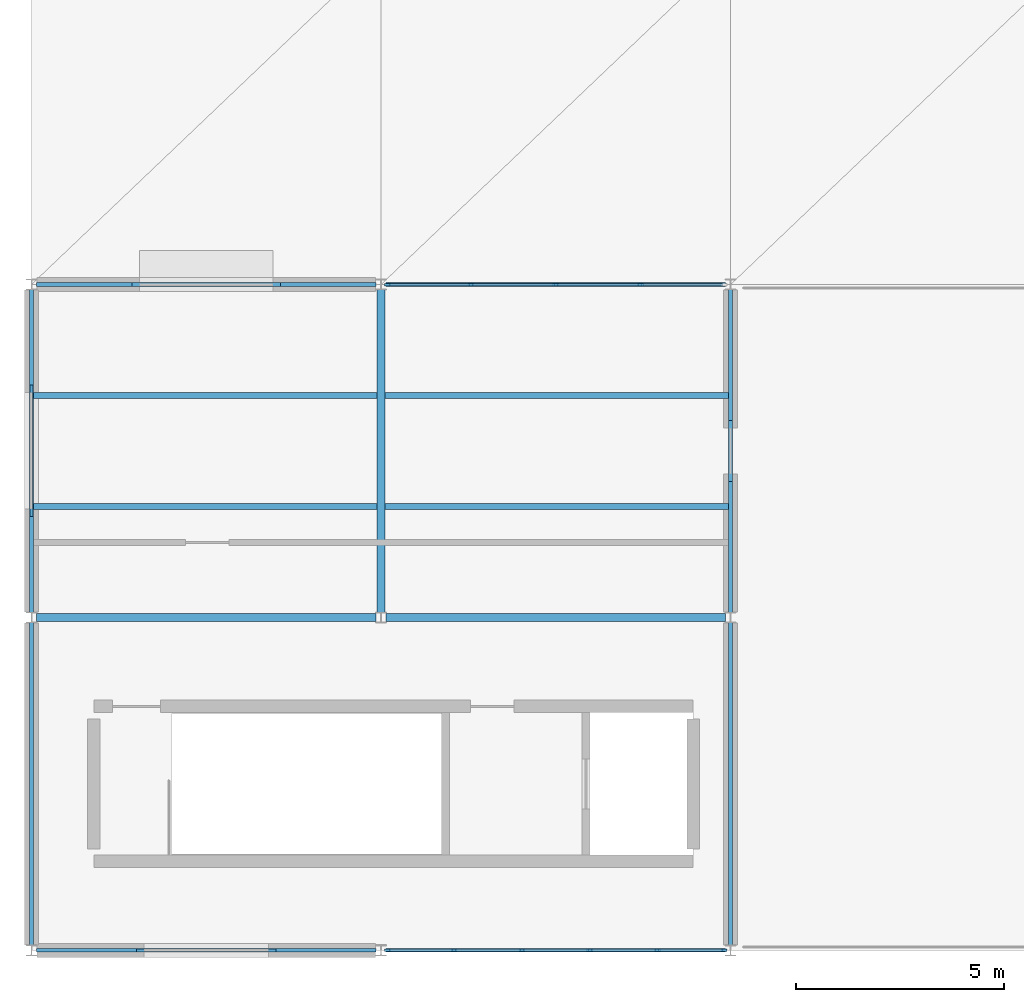
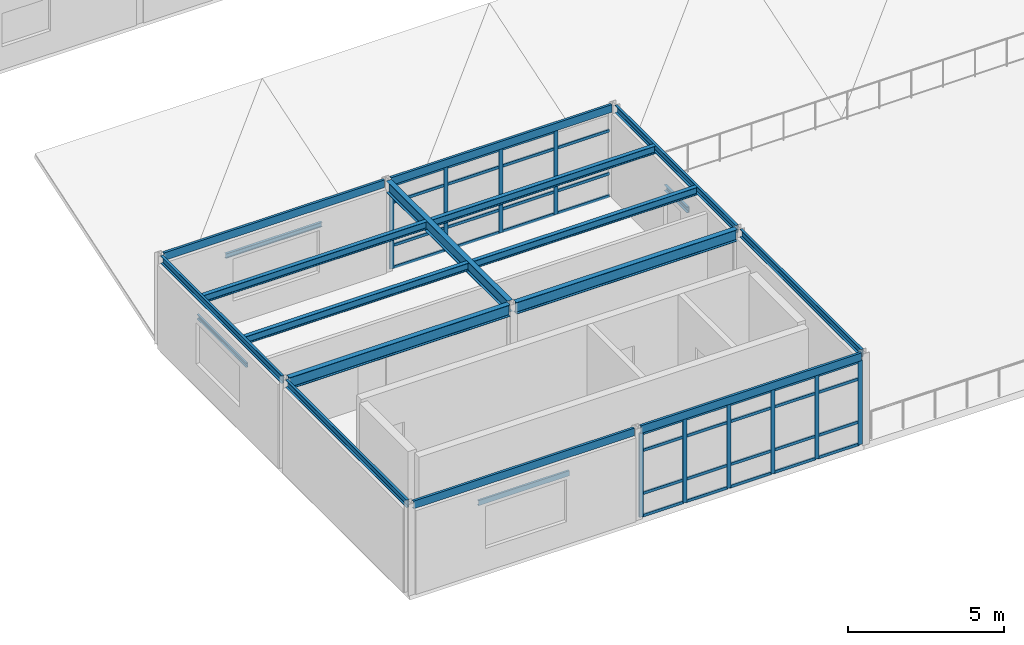
# One storey, part 11 of 53: 45 members, 19 beams, 2 elements without a shape of their own.
"""IFC4 building model written with IfcOpenShell, lengths in metres."""

from ifc_helpers import new_model, si_unit, direction, frame, origin, origin_2d, place, context, subcontext, project, spatial, rectangle, i_section, u_section, extrude, material, layer, layer_set, material_profile, profile_set, type_object, element, aggregate, save


model = new_model("IFC4")

# Units and contexts
model_context = context("Model", 3, precision=1e-05, world=origin(), true_north=direction((0.0, 1.0)))
body_context = subcontext(model_context, "Body", "Model", "MODEL_VIEW")
ifc_project = project(units=[si_unit("LENGTHUNIT", "METRE"), si_unit("AREAUNIT", "SQUARE_METRE"), si_unit("VOLUMEUNIT", "CUBIC_METRE"), si_unit("PLANEANGLEUNIT", "RADIAN"), si_unit("MASSUNIT", "GRAM", prefix="KILO")], contexts=[model_context])

# Site, building, storey
site_placement = place(None, origin())
site = spatial("IfcSite", under=ifc_project, at=site_placement, CompositionType="ELEMENT")
building_placement = place(site_placement, origin())
building = spatial("IfcBuilding", under=site, at=building_placement, Name="Kranzveld Transit Interchange", CompositionType="ELEMENT")
storey_placement = place(building_placement, frame((0.0, 0.0, 13.360107421875)))
storey = spatial("IfcBuildingStorey", under=building, at=storey_placement, Name="L03", CompositionType="ELEMENT", Elevation=13.360107421875)

# Beams
ifc_material_1 = material(Name="Steel S355JR", Category="steel")
ifc_material_profile_1 = material_profile(ifc_material_1, i_section(OverallWidth=0.18994140625, OverallDepth=0.453369140625, WebThickness=0.008544921875, FlangeThickness=0.0126953125, FilletRadius=0.01025390625, at=origin_2d()), Name="UB 457x191x67")
ifc_profile_set_1 = profile_set([ifc_material_profile_1], Name="Steel S355JR")
beam_type_1 = type_object("IfcBeamType", Name="Beam Steel UB 457x191x67 S355JR", PredefinedType="BEAM", material=ifc_profile_set_1)
beam_1_placement = place(storey_placement, frame((8.39990234375, 24.1201171875, 3.353271484375), z_axis=(0.0, 1.0, 0.0), x_axis=(-1.0, 0.0, 0.0)))
element("IfcBeam", 1, at=beam_1_placement, inside=storey, type_object=beam_type_1, Name="L03 Girder 02/D-E", PredefinedType="BEAM", context=body_context, shape_type="SweptSolid", body=[
    extrude(i_section(OverallWidth=0.18994140625, OverallDepth=0.453369140625, WebThickness=0.008544921875, FlangeThickness=0.0126953125, FilletRadius=0.01025390625, at=origin_2d()), origin(), (0.0, 0.0, 1.0), 7.759765625),
])
ifc_material_2 = material(Name="Steel S355JR", Category="steel")
ifc_material_profile_2 = material_profile(ifc_material_2, i_section(OverallWidth=0.1904296875, OverallDepth=0.45703125, WebThickness=0.009033203125, FlangeThickness=0.014404296875, FilletRadius=0.01025390625, at=origin_2d()), Name="UB 457x191x74")
ifc_profile_set_2 = profile_set([ifc_material_profile_2], Name="Steel S355JR")
beam_type_2 = type_object("IfcBeamType", Name="Beam Steel UB 457x191x74 S355JR", PredefinedType="BEAM", material=ifc_profile_set_2)
for number, where, z_axis, x_axis, name in (
    (2, (0.1181640625, 24.0, 3.351318359375), (1.0, 0.0, 0.0), (0.0, 1.0, 0.0), "L03 Girder 01-02/D"),
    (3, (8.51806640625, 24.0, 3.351318359375), (1.0, 0.0, 0.0), (0.0, 1.0, 0.0), "L03 Girder 02-03/D"),
):
    element("IfcBeam", number, at=place(storey_placement, frame(where, z_axis=z_axis, x_axis=x_axis)), inside=storey, type_object=beam_type_2, Name=name, PredefinedType="BEAM", context=body_context, shape_type="SweptSolid", body=[
        extrude(i_section(OverallWidth=0.1904296875, OverallDepth=0.45703125, WebThickness=0.009033203125, FlangeThickness=0.014404296875, FilletRadius=0.01025390625, at=origin_2d()), origin(), (0.0, 0.0, 1.0), 8.163818359375),
    ])

# Curtain wall, members
ifc_material_3 = material(Name="Bronze-anodised thermally broken aluminium", Category="aluminium")
ifc_layer_1 = layer(ifc_material_3, 0.159912109375)
ifc_layer_set_1 = layer_set([ifc_layer_1], Name="Bronze-anodised thermally broken aluminium")
curtain_wall_type_1 = type_object("IfcCurtainWallType", Name="Bus Boarding Glazed Screen CW-3", PredefinedType="USERDEFINED", material=ifc_layer_set_1)
curtain_wall_1_placement = place(storey_placement, origin())
curtain_wall_1 = element("IfcCurtainWall", 4, at=curtain_wall_1_placement, inside=storey, type_object=curtain_wall_type_1, Name="L03 Curtain Wall 02/E-03/E", ObjectType="CURTAIN WALL", PredefinedType="USERDEFINED")
ifc_material_4 = material(Name="Bronze-anodised thermally broken aluminium", Category="aluminium")
ifc_material_profile_3 = material_profile(ifc_material_4, rectangle(XDim=0.06005859375, YDim=0.14990234375, at=origin_2d()), Name="ALU MULLION 60x150")
ifc_profile_set_3 = profile_set([ifc_material_profile_3], Name="Bronze-anodised thermally broken aluminium")
member_type_1 = type_object("IfcMemberType", Name="Curtain Wall Mullion 60x150 Alu", PredefinedType="MULLION", material=ifc_profile_set_3)
member_1_placement = place(storey_placement, frame((8.55810546875, 32.0, 0.0), z_axis=(0.0, 0.0, 1.0), x_axis=(0.0, 1.0, 0.0)))
member_1 = element("IfcMember", 5, at=member_1_placement, type_object=member_type_1, Name="CW-3 mullion 1", PredefinedType="MULLION", context=body_context, shape_type="SweptSolid", body=[
    extrude(rectangle(XDim=0.06005859375, YDim=0.14990234375, at=origin_2d()), origin(), (0.0, 0.0, 1.0), 3.27978515625),
])
member_2_placement = place(storey_placement, frame((10.56396484375, 32.0, 0.0), z_axis=(0.0, 0.0, 1.0), x_axis=(0.0, 1.0, 0.0)))
member_2 = element("IfcMember", 6, at=member_2_placement, type_object=member_type_1, Name="CW-3 mullion 2", PredefinedType="MULLION", context=body_context, shape_type="SweptSolid", body=[
    extrude(rectangle(XDim=0.06005859375, YDim=0.14990234375, at=origin_2d()), origin(), (0.0, 0.0, 1.0), 3.27978515625),
])
member_3_placement = place(storey_placement, frame((12.60009765625, 32.0, 0.0), z_axis=(0.0, 0.0, 1.0), x_axis=(0.0, 1.0, 0.0)))
member_3 = element("IfcMember", 7, at=member_3_placement, type_object=member_type_1, Name="CW-3 mullion 3", PredefinedType="MULLION", context=body_context, shape_type="SweptSolid", body=[
    extrude(rectangle(XDim=0.06005859375, YDim=0.14990234375, at=origin_2d()), origin(), (0.0, 0.0, 1.0), 3.27978515625),
])
member_4_placement = place(storey_placement, frame((14.635986328125, 32.0, 0.0), z_axis=(0.0, 0.0, 1.0), x_axis=(0.0, 1.0, 0.0)))
member_4 = element("IfcMember", 8, at=member_4_placement, type_object=member_type_1, Name="CW-3 mullion 4", PredefinedType="MULLION", context=body_context, shape_type="SweptSolid", body=[
    extrude(rectangle(XDim=0.06005859375, YDim=0.14990234375, at=origin_2d()), origin(), (0.0, 0.0, 1.0), 3.27978515625),
])

ifc_material_5 = material(Name="Bronze-anodised thermally broken aluminium", Category="aluminium")
ifc_layer_2 = layer(ifc_material_5, 0.14990234375)
ifc_layer_set_2 = layer_set([ifc_layer_2], Name="Bronze-anodised thermally broken aluminium")
curtain_wall_type_2 = type_object("IfcCurtainWallType", Name="Public Passage Clerestory Screen CW-4", PredefinedType="USERDEFINED", material=ifc_layer_set_2)
curtain_wall_2_placement = place(storey_placement, origin())
curtain_wall_2 = element("IfcCurtainWall", 9, at=curtain_wall_2_placement, inside=storey, type_object=curtain_wall_type_2, Name="L03 Curtain Wall 02/C-03/C", ObjectType="CURTAIN WALL", PredefinedType="USERDEFINED")
member_5_placement = place(storey_placement, frame((8.55810546875, 16.0, 0.0), z_axis=(0.0, 0.0, 1.0), x_axis=(0.0, 1.0, 0.0)))
member_5 = element("IfcMember", 10, at=member_5_placement, type_object=member_type_1, Name="CW-4 mullion 1", PredefinedType="MULLION", context=body_context, shape_type="SweptSolid", body=[
    extrude(rectangle(XDim=0.06005859375, YDim=0.14990234375, at=origin_2d()), origin(), (0.0, 0.0, 1.0), 3.27978515625),
])
member_6_placement = place(storey_placement, frame((10.15673828125, 16.0, 0.0), z_axis=(0.0, 0.0, 1.0), x_axis=(0.0, 1.0, 0.0)))
member_6 = element("IfcMember", 11, at=member_6_placement, type_object=member_type_1, Name="CW-4 mullion 2", PredefinedType="MULLION", context=body_context, shape_type="SweptSolid", body=[
    extrude(rectangle(XDim=0.06005859375, YDim=0.14990234375, at=origin_2d()), origin(), (0.0, 0.0, 1.0), 3.27978515625),
])
member_7_placement = place(storey_placement, frame((11.78564453125, 16.0, 0.0), z_axis=(0.0, 0.0, 1.0), x_axis=(0.0, 1.0, 0.0)))
member_7 = element("IfcMember", 12, at=member_7_placement, type_object=member_type_1, Name="CW-4 mullion 3", PredefinedType="MULLION", context=body_context, shape_type="SweptSolid", body=[
    extrude(rectangle(XDim=0.06005859375, YDim=0.14990234375, at=origin_2d()), origin(), (0.0, 0.0, 1.0), 3.27978515625),
])
member_8_placement = place(storey_placement, frame((13.414306640625, 16.0, 0.0), z_axis=(0.0, 0.0, 1.0), x_axis=(0.0, 1.0, 0.0)))
member_8 = element("IfcMember", 13, at=member_8_placement, type_object=member_type_1, Name="CW-4 mullion 4", PredefinedType="MULLION", context=body_context, shape_type="SweptSolid", body=[
    extrude(rectangle(XDim=0.06005859375, YDim=0.14990234375, at=origin_2d()), origin(), (0.0, 0.0, 1.0), 3.27978515625),
])
member_9_placement = place(storey_placement, frame((15.043212890625, 16.0, 0.0), z_axis=(0.0, 0.0, 1.0), x_axis=(0.0, 1.0, 0.0)))
member_9 = element("IfcMember", 14, at=member_9_placement, type_object=member_type_1, Name="CW-4 mullion 5", PredefinedType="MULLION", context=body_context, shape_type="SweptSolid", body=[
    extrude(rectangle(XDim=0.06005859375, YDim=0.14990234375, at=origin_2d()), origin(), (0.0, 0.0, 1.0), 3.27978515625),
])
member_10_placement = place(storey_placement, frame((16.641845703125, 16.0, 0.0), z_axis=(0.0, 0.0, 1.0), x_axis=(0.0, 1.0, 0.0)))
member_10 = element("IfcMember", 15, at=member_10_placement, type_object=member_type_1, Name="CW-4 mullion 6", PredefinedType="MULLION", context=body_context, shape_type="SweptSolid", body=[
    extrude(rectangle(XDim=0.06005859375, YDim=0.14990234375, at=origin_2d()), origin(), (0.0, 0.0, 1.0), 3.27978515625),
])

# Member
ifc_material_6 = material(Name="Bronze-anodised thermally broken aluminium", Category="aluminium")
ifc_material_profile_4 = material_profile(ifc_material_6, rectangle(XDim=0.06005859375, YDim=0.110107421875, at=origin_2d()), Name="ALU TRANSOM 60x110")
ifc_profile_set_4 = profile_set([ifc_material_profile_4], Name="Bronze-anodised thermally broken aluminium")
member_type_2 = type_object("IfcMemberType", Name="Curtain Wall Transom 60x110 Alu", PredefinedType="USERDEFINED", material=ifc_profile_set_4)
member_11_placement = place(storey_placement, frame((8.588134765625, 32.0, 0.02978515625), z_axis=(1.0, 0.0, 0.0), x_axis=(0.0, 1.0, 0.0)))
member_11 = element("IfcMember", 16, at=member_11_placement, type_object=member_type_2, Name="CW-3 transom 1.1", ObjectType="TRANSOM", PredefinedType="USERDEFINED", context=body_context, shape_type="SweptSolid", body=[
    extrude(rectangle(XDim=0.06005859375, YDim=0.110107421875, at=origin_2d()), origin(), (0.0, 0.0, 1.0), 1.94580078125),
])

member_12_placement = place(storey_placement, frame((8.588134765625, 32.0, 0.89990234375), z_axis=(1.0, 0.0, 0.0), x_axis=(0.0, 1.0, 0.0)))
member_12 = element("IfcMember", 17, at=member_12_placement, type_object=member_type_2, Name="CW-3 transom 1.2", ObjectType="TRANSOM", PredefinedType="USERDEFINED", context=body_context, shape_type="SweptSolid", body=[
    extrude(rectangle(XDim=0.06005859375, YDim=0.110107421875, at=origin_2d()), origin(), (0.0, 0.0, 1.0), 1.94580078125),
])

member_13_placement = place(storey_placement, frame((8.588134765625, 32.0, 2.579833984375), z_axis=(1.0, 0.0, 0.0), x_axis=(0.0, 1.0, 0.0)))
member_13 = element("IfcMember", 18, at=member_13_placement, type_object=member_type_2, Name="CW-3 transom 1.3", ObjectType="TRANSOM", PredefinedType="USERDEFINED", context=body_context, shape_type="SweptSolid", body=[
    extrude(rectangle(XDim=0.06005859375, YDim=0.110107421875, at=origin_2d()), origin(), (0.0, 0.0, 1.0), 1.94580078125),
])

member_14_placement = place(storey_placement, frame((8.588134765625, 32.0, 3.25), z_axis=(1.0, 0.0, 0.0), x_axis=(0.0, 1.0, 0.0)))
member_14 = element("IfcMember", 19, at=member_14_placement, type_object=member_type_2, Name="CW-3 transom 1.4", ObjectType="TRANSOM", PredefinedType="USERDEFINED", context=body_context, shape_type="SweptSolid", body=[
    extrude(rectangle(XDim=0.06005859375, YDim=0.110107421875, at=origin_2d()), origin(), (0.0, 0.0, 1.0), 1.94580078125),
])

member_15_placement = place(storey_placement, frame((10.593994140625, 32.0, 0.02978515625), z_axis=(1.0, 0.0, 0.0), x_axis=(0.0, 1.0, 0.0)))
member_15 = element("IfcMember", 20, at=member_15_placement, type_object=member_type_2, Name="CW-3 transom 2.1", ObjectType="TRANSOM", PredefinedType="USERDEFINED", context=body_context, shape_type="SweptSolid", body=[
    extrude(rectangle(XDim=0.06005859375, YDim=0.110107421875, at=origin_2d()), origin(), (0.0, 0.0, 1.0), 1.97607421875),
])

member_16_placement = place(storey_placement, frame((10.593994140625, 32.0, 0.89990234375), z_axis=(1.0, 0.0, 0.0), x_axis=(0.0, 1.0, 0.0)))
member_16 = element("IfcMember", 21, at=member_16_placement, type_object=member_type_2, Name="CW-3 transom 2.2", ObjectType="TRANSOM", PredefinedType="USERDEFINED", context=body_context, shape_type="SweptSolid", body=[
    extrude(rectangle(XDim=0.06005859375, YDim=0.110107421875, at=origin_2d()), origin(), (0.0, 0.0, 1.0), 1.97607421875),
])

member_17_placement = place(storey_placement, frame((10.593994140625, 32.0, 2.579833984375), z_axis=(1.0, 0.0, 0.0), x_axis=(0.0, 1.0, 0.0)))
member_17 = element("IfcMember", 22, at=member_17_placement, type_object=member_type_2, Name="CW-3 transom 2.3", ObjectType="TRANSOM", PredefinedType="USERDEFINED", context=body_context, shape_type="SweptSolid", body=[
    extrude(rectangle(XDim=0.06005859375, YDim=0.110107421875, at=origin_2d()), origin(), (0.0, 0.0, 1.0), 1.97607421875),
])

member_18_placement = place(storey_placement, frame((10.593994140625, 32.0, 3.25), z_axis=(1.0, 0.0, 0.0), x_axis=(0.0, 1.0, 0.0)))
member_18 = element("IfcMember", 23, at=member_18_placement, type_object=member_type_2, Name="CW-3 transom 2.4", ObjectType="TRANSOM", PredefinedType="USERDEFINED", context=body_context, shape_type="SweptSolid", body=[
    extrude(rectangle(XDim=0.06005859375, YDim=0.110107421875, at=origin_2d()), origin(), (0.0, 0.0, 1.0), 1.97607421875),
])

member_19_placement = place(storey_placement, frame((12.6298828125, 32.0, 0.02978515625), z_axis=(1.0, 0.0, 0.0), x_axis=(0.0, 1.0, 0.0)))
member_19 = element("IfcMember", 24, at=member_19_placement, type_object=member_type_2, Name="CW-3 transom 3.1", ObjectType="TRANSOM", PredefinedType="USERDEFINED", context=body_context, shape_type="SweptSolid", body=[
    extrude(rectangle(XDim=0.06005859375, YDim=0.110107421875, at=origin_2d()), origin(), (0.0, 0.0, 1.0), 1.97607421875),
])

member_20_placement = place(storey_placement, frame((12.6298828125, 32.0, 0.89990234375), z_axis=(1.0, 0.0, 0.0), x_axis=(0.0, 1.0, 0.0)))
member_20 = element("IfcMember", 25, at=member_20_placement, type_object=member_type_2, Name="CW-3 transom 3.2", ObjectType="TRANSOM", PredefinedType="USERDEFINED", context=body_context, shape_type="SweptSolid", body=[
    extrude(rectangle(XDim=0.06005859375, YDim=0.110107421875, at=origin_2d()), origin(), (0.0, 0.0, 1.0), 1.97607421875),
])

member_21_placement = place(storey_placement, frame((12.6298828125, 32.0, 2.579833984375), z_axis=(1.0, 0.0, 0.0), x_axis=(0.0, 1.0, 0.0)))
member_21 = element("IfcMember", 26, at=member_21_placement, type_object=member_type_2, Name="CW-3 transom 3.3", ObjectType="TRANSOM", PredefinedType="USERDEFINED", context=body_context, shape_type="SweptSolid", body=[
    extrude(rectangle(XDim=0.06005859375, YDim=0.110107421875, at=origin_2d()), origin(), (0.0, 0.0, 1.0), 1.97607421875),
])

member_22_placement = place(storey_placement, frame((12.6298828125, 32.0, 3.25), z_axis=(1.0, 0.0, 0.0), x_axis=(0.0, 1.0, 0.0)))
member_22 = element("IfcMember", 27, at=member_22_placement, type_object=member_type_2, Name="CW-3 transom 3.4", ObjectType="TRANSOM", PredefinedType="USERDEFINED", context=body_context, shape_type="SweptSolid", body=[
    extrude(rectangle(XDim=0.06005859375, YDim=0.110107421875, at=origin_2d()), origin(), (0.0, 0.0, 1.0), 1.97607421875),
])

member_23_placement = place(storey_placement, frame((14.666015625, 32.0, 0.02978515625), z_axis=(1.0, 0.0, 0.0), x_axis=(0.0, 1.0, 0.0)))
member_23 = element("IfcMember", 28, at=member_23_placement, type_object=member_type_2, Name="CW-3 transom 4.1", ObjectType="TRANSOM", PredefinedType="USERDEFINED", context=body_context, shape_type="SweptSolid", body=[
    extrude(rectangle(XDim=0.06005859375, YDim=0.110107421875, at=origin_2d()), origin(), (0.0, 0.0, 1.0), 1.94580078125),
])

member_24_placement = place(storey_placement, frame((14.666015625, 32.0, 0.89990234375), z_axis=(1.0, 0.0, 0.0), x_axis=(0.0, 1.0, 0.0)))
member_24 = element("IfcMember", 29, at=member_24_placement, type_object=member_type_2, Name="CW-3 transom 4.2", ObjectType="TRANSOM", PredefinedType="USERDEFINED", context=body_context, shape_type="SweptSolid", body=[
    extrude(rectangle(XDim=0.06005859375, YDim=0.110107421875, at=origin_2d()), origin(), (0.0, 0.0, 1.0), 1.94580078125),
])

member_25_placement = place(storey_placement, frame((14.666015625, 32.0, 2.579833984375), z_axis=(1.0, 0.0, 0.0), x_axis=(0.0, 1.0, 0.0)))
member_25 = element("IfcMember", 30, at=member_25_placement, type_object=member_type_2, Name="CW-3 transom 4.3", ObjectType="TRANSOM", PredefinedType="USERDEFINED", context=body_context, shape_type="SweptSolid", body=[
    extrude(rectangle(XDim=0.06005859375, YDim=0.110107421875, at=origin_2d()), origin(), (0.0, 0.0, 1.0), 1.94580078125),
])

aggregate(curtain_wall_1, [member_1, member_2, member_3, member_4, member_11, member_12, member_13, member_14, member_15, member_16, member_17, member_18, member_19, member_20, member_21, member_22, member_23, member_24, member_25])

member_26_placement = place(storey_placement, frame((8.588134765625, 16.0, 0.02978515625), z_axis=(1.0, 0.0, 0.0), x_axis=(0.0, 1.0, 0.0)))
member_26 = element("IfcMember", 31, at=member_26_placement, type_object=member_type_2, Name="CW-4 transom 1.1", ObjectType="TRANSOM", PredefinedType="USERDEFINED", context=body_context, shape_type="SweptSolid", body=[
    extrude(rectangle(XDim=0.06005859375, YDim=0.110107421875, at=origin_2d()), origin(), (0.0, 0.0, 1.0), 1.538818359375),
])

member_27_placement = place(storey_placement, frame((8.588134765625, 16.0, 0.89990234375), z_axis=(1.0, 0.0, 0.0), x_axis=(0.0, 1.0, 0.0)))
member_27 = element("IfcMember", 32, at=member_27_placement, type_object=member_type_2, Name="CW-4 transom 1.2", ObjectType="TRANSOM", PredefinedType="USERDEFINED", context=body_context, shape_type="SweptSolid", body=[
    extrude(rectangle(XDim=0.06005859375, YDim=0.110107421875, at=origin_2d()), origin(), (0.0, 0.0, 1.0), 1.538818359375),
])

member_28_placement = place(storey_placement, frame((8.588134765625, 16.0, 2.579833984375), z_axis=(1.0, 0.0, 0.0), x_axis=(0.0, 1.0, 0.0)))
member_28 = element("IfcMember", 33, at=member_28_placement, type_object=member_type_2, Name="CW-4 transom 1.3", ObjectType="TRANSOM", PredefinedType="USERDEFINED", context=body_context, shape_type="SweptSolid", body=[
    extrude(rectangle(XDim=0.06005859375, YDim=0.110107421875, at=origin_2d()), origin(), (0.0, 0.0, 1.0), 1.538818359375),
])

member_29_placement = place(storey_placement, frame((8.588134765625, 16.0, 3.25), z_axis=(1.0, 0.0, 0.0), x_axis=(0.0, 1.0, 0.0)))
member_29 = element("IfcMember", 34, at=member_29_placement, type_object=member_type_2, Name="CW-4 transom 1.4", ObjectType="TRANSOM", PredefinedType="USERDEFINED", context=body_context, shape_type="SweptSolid", body=[
    extrude(rectangle(XDim=0.06005859375, YDim=0.110107421875, at=origin_2d()), origin(), (0.0, 0.0, 1.0), 1.538818359375),
])

member_30_placement = place(storey_placement, frame((10.186767578125, 16.0, 0.02978515625), z_axis=(1.0, 0.0, 0.0), x_axis=(0.0, 1.0, 0.0)))
member_30 = element("IfcMember", 35, at=member_30_placement, type_object=member_type_2, Name="CW-4 transom 2.1", ObjectType="TRANSOM", PredefinedType="USERDEFINED", context=body_context, shape_type="SweptSolid", body=[
    extrude(rectangle(XDim=0.06005859375, YDim=0.110107421875, at=origin_2d()), origin(), (0.0, 0.0, 1.0), 1.56884765625),
])

member_31_placement = place(storey_placement, frame((10.186767578125, 16.0, 0.89990234375), z_axis=(1.0, 0.0, 0.0), x_axis=(0.0, 1.0, 0.0)))
member_31 = element("IfcMember", 36, at=member_31_placement, type_object=member_type_2, Name="CW-4 transom 2.2", ObjectType="TRANSOM", PredefinedType="USERDEFINED", context=body_context, shape_type="SweptSolid", body=[
    extrude(rectangle(XDim=0.06005859375, YDim=0.110107421875, at=origin_2d()), origin(), (0.0, 0.0, 1.0), 1.56884765625),
])

member_32_placement = place(storey_placement, frame((10.186767578125, 16.0, 2.579833984375), z_axis=(1.0, 0.0, 0.0), x_axis=(0.0, 1.0, 0.0)))
member_32 = element("IfcMember", 37, at=member_32_placement, type_object=member_type_2, Name="CW-4 transom 2.3", ObjectType="TRANSOM", PredefinedType="USERDEFINED", context=body_context, shape_type="SweptSolid", body=[
    extrude(rectangle(XDim=0.06005859375, YDim=0.110107421875, at=origin_2d()), origin(), (0.0, 0.0, 1.0), 1.56884765625),
])

member_33_placement = place(storey_placement, frame((10.186767578125, 16.0, 3.25), z_axis=(1.0, 0.0, 0.0), x_axis=(0.0, 1.0, 0.0)))
member_33 = element("IfcMember", 38, at=member_33_placement, type_object=member_type_2, Name="CW-4 transom 2.4", ObjectType="TRANSOM", PredefinedType="USERDEFINED", context=body_context, shape_type="SweptSolid", body=[
    extrude(rectangle(XDim=0.06005859375, YDim=0.110107421875, at=origin_2d()), origin(), (0.0, 0.0, 1.0), 1.56884765625),
])

member_34_placement = place(storey_placement, frame((11.815673828125, 16.0, 0.02978515625), z_axis=(1.0, 0.0, 0.0), x_axis=(0.0, 1.0, 0.0)))
member_34 = element("IfcMember", 39, at=member_34_placement, type_object=member_type_2, Name="CW-4 transom 3.1", ObjectType="TRANSOM", PredefinedType="USERDEFINED", context=body_context, shape_type="SweptSolid", body=[
    extrude(rectangle(XDim=0.06005859375, YDim=0.110107421875, at=origin_2d()), origin(), (0.0, 0.0, 1.0), 1.568603515625),
])

member_35_placement = place(storey_placement, frame((11.815673828125, 16.0, 0.89990234375), z_axis=(1.0, 0.0, 0.0), x_axis=(0.0, 1.0, 0.0)))
member_35 = element("IfcMember", 40, at=member_35_placement, type_object=member_type_2, Name="CW-4 transom 3.2", ObjectType="TRANSOM", PredefinedType="USERDEFINED", context=body_context, shape_type="SweptSolid", body=[
    extrude(rectangle(XDim=0.06005859375, YDim=0.110107421875, at=origin_2d()), origin(), (0.0, 0.0, 1.0), 1.568603515625),
])

member_36_placement = place(storey_placement, frame((11.815673828125, 16.0, 2.579833984375), z_axis=(1.0, 0.0, 0.0), x_axis=(0.0, 1.0, 0.0)))
member_36 = element("IfcMember", 41, at=member_36_placement, type_object=member_type_2, Name="CW-4 transom 3.3", ObjectType="TRANSOM", PredefinedType="USERDEFINED", context=body_context, shape_type="SweptSolid", body=[
    extrude(rectangle(XDim=0.06005859375, YDim=0.110107421875, at=origin_2d()), origin(), (0.0, 0.0, 1.0), 1.568603515625),
])

member_37_placement = place(storey_placement, frame((11.815673828125, 16.0, 3.25), z_axis=(1.0, 0.0, 0.0), x_axis=(0.0, 1.0, 0.0)))
member_37 = element("IfcMember", 42, at=member_37_placement, type_object=member_type_2, Name="CW-4 transom 3.4", ObjectType="TRANSOM", PredefinedType="USERDEFINED", context=body_context, shape_type="SweptSolid", body=[
    extrude(rectangle(XDim=0.06005859375, YDim=0.110107421875, at=origin_2d()), origin(), (0.0, 0.0, 1.0), 1.568603515625),
])

member_38_placement = place(storey_placement, frame((13.4443359375, 16.0, 0.02978515625), z_axis=(1.0, 0.0, 0.0), x_axis=(0.0, 1.0, 0.0)))
member_38 = element("IfcMember", 43, at=member_38_placement, type_object=member_type_2, Name="CW-4 transom 4.1", ObjectType="TRANSOM", PredefinedType="USERDEFINED", context=body_context, shape_type="SweptSolid", body=[
    extrude(rectangle(XDim=0.06005859375, YDim=0.110107421875, at=origin_2d()), origin(), (0.0, 0.0, 1.0), 1.56884765625),
])

member_39_placement = place(storey_placement, frame((13.4443359375, 16.0, 0.89990234375), z_axis=(1.0, 0.0, 0.0), x_axis=(0.0, 1.0, 0.0)))
member_39 = element("IfcMember", 44, at=member_39_placement, type_object=member_type_2, Name="CW-4 transom 4.2", ObjectType="TRANSOM", PredefinedType="USERDEFINED", context=body_context, shape_type="SweptSolid", body=[
    extrude(rectangle(XDim=0.06005859375, YDim=0.110107421875, at=origin_2d()), origin(), (0.0, 0.0, 1.0), 1.56884765625),
])

member_40_placement = place(storey_placement, frame((13.4443359375, 16.0, 2.579833984375), z_axis=(1.0, 0.0, 0.0), x_axis=(0.0, 1.0, 0.0)))
member_40 = element("IfcMember", 45, at=member_40_placement, type_object=member_type_2, Name="CW-4 transom 4.3", ObjectType="TRANSOM", PredefinedType="USERDEFINED", context=body_context, shape_type="SweptSolid", body=[
    extrude(rectangle(XDim=0.06005859375, YDim=0.110107421875, at=origin_2d()), origin(), (0.0, 0.0, 1.0), 1.56884765625),
])

member_41_placement = place(storey_placement, frame((13.4443359375, 16.0, 3.25), z_axis=(1.0, 0.0, 0.0), x_axis=(0.0, 1.0, 0.0)))
member_41 = element("IfcMember", 46, at=member_41_placement, type_object=member_type_2, Name="CW-4 transom 4.4", ObjectType="TRANSOM", PredefinedType="USERDEFINED", context=body_context, shape_type="SweptSolid", body=[
    extrude(rectangle(XDim=0.06005859375, YDim=0.110107421875, at=origin_2d()), origin(), (0.0, 0.0, 1.0), 1.56884765625),
])

member_42_placement = place(storey_placement, frame((15.0732421875, 16.0, 0.02978515625), z_axis=(1.0, 0.0, 0.0), x_axis=(0.0, 1.0, 0.0)))
member_42 = element("IfcMember", 47, at=member_42_placement, type_object=member_type_2, Name="CW-4 transom 5.1", ObjectType="TRANSOM", PredefinedType="USERDEFINED", context=body_context, shape_type="SweptSolid", body=[
    extrude(rectangle(XDim=0.06005859375, YDim=0.110107421875, at=origin_2d()), origin(), (0.0, 0.0, 1.0), 1.53857421875),
])

member_43_placement = place(storey_placement, frame((15.0732421875, 16.0, 0.89990234375), z_axis=(1.0, 0.0, 0.0), x_axis=(0.0, 1.0, 0.0)))
member_43 = element("IfcMember", 48, at=member_43_placement, type_object=member_type_2, Name="CW-4 transom 5.2", ObjectType="TRANSOM", PredefinedType="USERDEFINED", context=body_context, shape_type="SweptSolid", body=[
    extrude(rectangle(XDim=0.06005859375, YDim=0.110107421875, at=origin_2d()), origin(), (0.0, 0.0, 1.0), 1.53857421875),
])

member_44_placement = place(storey_placement, frame((15.0732421875, 16.0, 2.579833984375), z_axis=(1.0, 0.0, 0.0), x_axis=(0.0, 1.0, 0.0)))
member_44 = element("IfcMember", 49, at=member_44_placement, type_object=member_type_2, Name="CW-4 transom 5.3", ObjectType="TRANSOM", PredefinedType="USERDEFINED", context=body_context, shape_type="SweptSolid", body=[
    extrude(rectangle(XDim=0.06005859375, YDim=0.110107421875, at=origin_2d()), origin(), (0.0, 0.0, 1.0), 1.53857421875),
])

member_45_placement = place(storey_placement, frame((15.0732421875, 16.0, 3.25), z_axis=(1.0, 0.0, 0.0), x_axis=(0.0, 1.0, 0.0)))
member_45 = element("IfcMember", 50, at=member_45_placement, type_object=member_type_2, Name="CW-4 transom 5.4", ObjectType="TRANSOM", PredefinedType="USERDEFINED", context=body_context, shape_type="SweptSolid", body=[
    extrude(rectangle(XDim=0.06005859375, YDim=0.110107421875, at=origin_2d()), origin(), (0.0, 0.0, 1.0), 1.53857421875),
])

aggregate(curtain_wall_2, [member_5, member_6, member_7, member_8, member_9, member_10, member_26, member_27, member_28, member_29, member_30, member_31, member_32, member_33, member_34, member_35, member_36, member_37, member_38, member_39, member_40, member_41, member_42, member_43, member_44, member_45])

# Beams
ifc_material_7 = material(Name="Steel S355JR", Category="steel")
ifc_material_profile_5 = material_profile(ifc_material_7, i_section(OverallWidth=0.14990234375, OverallDepth=0.300048828125, WebThickness=0.007080078125, FlangeThickness=0.0107421875, FilletRadius=0.014892578125, at=origin_2d()), Name="IPE 300")
ifc_profile_set_5 = profile_set([ifc_material_profile_5], Name="Steel S355JR")
beam_type_3 = type_object("IfcBeamType", Name="Deck Joist IPE 300 S355JR", PredefinedType="JOIST", material=ifc_profile_set_5)
for number, where, z_axis, x_axis, name in (
    (51, (0.047119140625, 26.666748046875, 3.429931640625), (1.0, 0.0, 0.0), (0.0, 1.0, 0.0), "L03 Secondary Joist 01-02/D.1"),
    (52, (0.047119140625, 29.333251953125, 3.429931640625), (1.0, 0.0, 0.0), (0.0, 1.0, 0.0), "L03 Secondary Joist 01-02/D.2"),
    (53, (8.4970703125, 26.666748046875, 3.429931640625), (1.0, 0.0, 0.0), (0.0, 1.0, 0.0), "L03 Secondary Joist 02-03/D.1"),
    (54, (8.4970703125, 29.333251953125, 3.429931640625), (1.0, 0.0, 0.0), (0.0, 1.0, 0.0), "L03 Secondary Joist 02-03/D.2"),
):
    element("IfcBeam", number, at=place(storey_placement, frame(where, z_axis=z_axis, x_axis=x_axis)), inside=storey, type_object=beam_type_3, Name=name, PredefinedType="JOIST", context=body_context, shape_type="SweptSolid", body=[
        extrude(i_section(OverallWidth=0.14990234375, OverallDepth=0.300048828125, WebThickness=0.007080078125, FlangeThickness=0.0107421875, FilletRadius=0.014892578125, at=origin_2d()), origin(), (0.0, 0.0, 1.0), 8.255859375),
    ])
ifc_material_8 = material(Name="Steel S355JR", Category="steel")
ifc_material_profile_6 = material_profile(ifc_material_8, u_section(Depth=0.300048828125, FlangeWidth=0.090087890625, WebThickness=0.009033203125, FlangeThickness=0.015380859375, FilletRadius=0.011962890625, at=origin_2d()), Name="PFC 300x90x41")
ifc_profile_set_6 = profile_set([ifc_material_profile_6], Name="Steel S355JR")
beam_type_4 = type_object("IfcBeamType", Name="Edge Spandrel PFC 300x90x41 S355JR", PredefinedType="SPANDREL", material=ifc_profile_set_6)
for number, where, z_axis, x_axis, name in (
    (55, (0.1181640625, 16.0, 3.429931640625), (1.0, 0.0, 0.0), (0.0, 1.0, 0.0), "L03 Girder 01-02/C"),
    (56, (8.51806640625, 16.0, 3.429931640625), (1.0, 0.0, 0.0), (0.0, 1.0, 0.0), "L03 Girder 02-03/C"),
    (57, (0.1181640625, 32.0, 3.429931640625), (1.0, 0.0, 0.0), (0.0, 1.0, 0.0), "L03 Girder 01-02/E"),
    (58, (8.51806640625, 32.0, 3.429931640625), (1.0, 0.0, 0.0), (0.0, 1.0, 0.0), "L03 Girder 02-03/E"),
):
    element("IfcBeam", number, at=place(storey_placement, frame(where, z_axis=z_axis, x_axis=x_axis)), inside=storey, type_object=beam_type_4, Name=name, PredefinedType="SPANDREL", context=body_context, shape_type="SweptSolid", body=[
        extrude(u_section(Depth=0.300048828125, FlangeWidth=0.090087890625, WebThickness=0.009033203125, FlangeThickness=0.015380859375, FilletRadius=0.011962890625, at=origin_2d()), origin(), (0.0, 0.0, 1.0), 8.163818359375),
    ])
for number, where, z_axis, x_axis, name in (
    (59, (0.0, 16.1201171875, 3.429931640625), (0.0, 1.0, 0.0), (-1.0, 0.0, 0.0), "L03 Girder 01/C-D"),
    (60, (0.0, 24.1201171875, 3.429931640625), (0.0, 1.0, 0.0), (-1.0, 0.0, 0.0), "L03 Girder 01/D-E"),
    (61, (16.800048828125, 16.1201171875, 3.429931640625), (0.0, 1.0, 0.0), (-1.0, 0.0, 0.0), "L03 Girder 03/C-D"),
    (62, (16.800048828125, 24.1201171875, 3.429931640625), (0.0, 1.0, 0.0), (-1.0, 0.0, 0.0), "L03 Girder 03/D-E"),
):
    element("IfcBeam", number, at=place(storey_placement, frame(where, z_axis=z_axis, x_axis=x_axis)), inside=storey, type_object=beam_type_4, Name=name, PredefinedType="SPANDREL", context=body_context, shape_type="SweptSolid", body=[
        extrude(u_section(Depth=0.300048828125, FlangeWidth=0.090087890625, WebThickness=0.009033203125, FlangeThickness=0.015380859375, FilletRadius=0.011962890625, at=origin_2d()), origin(), (0.0, 0.0, 1.0), 7.759765625),
    ])
ifc_material_9 = material(Name="Steel S355JR", Category="steel")
ifc_material_profile_7 = material_profile(ifc_material_9, u_section(Depth=0.179931640625, FlangeWidth=0.070068359375, WebThickness=0.007080078125, FlangeThickness=0.010986328125, FilletRadius=0.010009765625, at=origin_2d()), Name="PFC 180x70x22")
ifc_profile_set_7 = profile_set([ifc_material_profile_7], Name="Steel S355JR")
beam_type_5 = type_object("IfcBeamType", Name="Masonry Lintel PFC 180x70x22 S355JR", PredefinedType="LINTEL", material=ifc_profile_set_7)
beam_2_placement = place(storey_placement, frame((0.0, 26.419921875, 2.594970703125), z_axis=(0.0, 1.0, 0.0), x_axis=(-1.0, 0.0, 0.0)))
element("IfcBeam", 63, at=beam_2_placement, inside=storey, type_object=beam_type_5, Name="L03 Window Lintel 165", PredefinedType="LINTEL", context=body_context, shape_type="SweptSolid", body=[
    extrude(u_section(Depth=0.179931640625, FlangeWidth=0.070068359375, WebThickness=0.007080078125, FlangeThickness=0.010986328125, FilletRadius=0.010009765625, at=origin_2d()), origin(), (0.0, 0.0, 1.0), 3.16015625),
])
ifc_material_10 = material(Name="Steel S355JR", Category="steel")
ifc_material_profile_8 = material_profile(ifc_material_10, u_section(Depth=0.199951171875, FlangeWidth=0.074951171875, WebThickness=0.006103515625, FlangeThickness=0.012451171875, FilletRadius=0.011962890625, at=origin_2d()), Name="PFC 200x75x23")
ifc_profile_set_8 = profile_set([ifc_material_profile_8], Name="Steel S355JR")
beam_type_6 = type_object("IfcBeamType", Name="Masonry Lintel PFC 200x75x23 S355JR", PredefinedType="LINTEL", material=ifc_profile_set_8)
beam_3_placement = place(storey_placement, frame((2.52001953125, 16.0, 2.65478515625), z_axis=(1.0, 0.0, 0.0), x_axis=(0.0, 1.0, 0.0)))
element("IfcBeam", 64, at=beam_3_placement, inside=storey, type_object=beam_type_6, Name="L03 Window Lintel 164", PredefinedType="LINTEL", context=body_context, shape_type="SweptSolid", body=[
    extrude(u_section(Depth=0.199951171875, FlangeWidth=0.074951171875, WebThickness=0.006103515625, FlangeThickness=0.012451171875, FilletRadius=0.011962890625, at=origin_2d()), origin(), (0.0, 0.0, 1.0), 3.35986328125),
])
ifc_material_11 = material(Name="Steel S355JR", Category="steel")
ifc_material_profile_9 = material_profile(ifc_material_11, u_section(Depth=0.22998046875, FlangeWidth=0.090087890625, WebThickness=0.007568359375, FlangeThickness=0.013916015625, FilletRadius=0.011962890625, at=origin_2d()), Name="PFC 230x90x32")
ifc_profile_set_9 = profile_set([ifc_material_profile_9], Name="Steel S355JR")
beam_type_7 = type_object("IfcBeamType", Name="Masonry Lintel PFC 230x90x32 S355JR", PredefinedType="LINTEL", material=ifc_profile_set_9)
beam_4_placement = place(storey_placement, frame((16.800048828125, 27.27001953125, 2.269775390625), z_axis=(0.0, 1.0, 0.0), x_axis=(-1.0, 0.0, 0.0)))
element("IfcBeam", 65, at=beam_4_placement, inside=storey, type_object=beam_type_7, Name="L03 Exterior Door Lintel 017", PredefinedType="LINTEL", context=body_context, shape_type="SweptSolid", body=[
    extrude(u_section(Depth=0.22998046875, FlangeWidth=0.090087890625, WebThickness=0.007568359375, FlangeThickness=0.013916015625, FilletRadius=0.011962890625, at=origin_2d()), origin(), (0.0, 0.0, 1.0), 1.4599609375),
])
ifc_material_12 = material(Name="Steel S355JR", Category="steel")
ifc_material_profile_10 = material_profile(ifc_material_12, i_section(OverallWidth=0.091064453125, OverallDepth=0.179931640625, WebThickness=0.00537109375, FlangeThickness=0.008056640625, FilletRadius=0.009033203125, at=origin_2d()), Name="IPE 180")
ifc_profile_set_10 = profile_set([ifc_material_profile_10], Name="Steel S355JR")
beam_type_8 = type_object("IfcBeamType", Name="Opening Lintel IPE 180 S355JR", PredefinedType="LINTEL", material=ifc_profile_set_10)
beam_5_placement = place(storey_placement, frame((2.419921875, 32.0, 2.644775390625), z_axis=(1.0, 0.0, 0.0), x_axis=(0.0, 1.0, 0.0)))
element("IfcBeam", 66, at=beam_5_placement, inside=storey, type_object=beam_type_8, Name="L03 Window Lintel 163", PredefinedType="LINTEL", context=body_context, shape_type="SweptSolid", body=[
    extrude(i_section(OverallWidth=0.091064453125, OverallDepth=0.179931640625, WebThickness=0.00537109375, FlangeThickness=0.008056640625, FilletRadius=0.009033203125, at=origin_2d()), origin(), (0.0, 0.0, 1.0), 3.56005859375),
])

save(model, "model.ifc")
